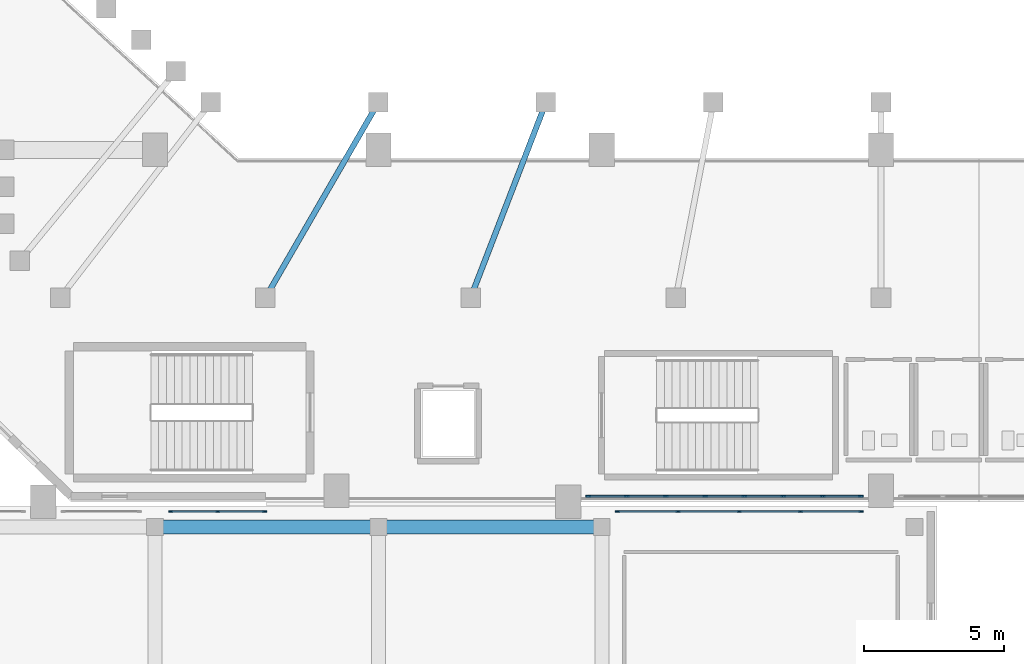
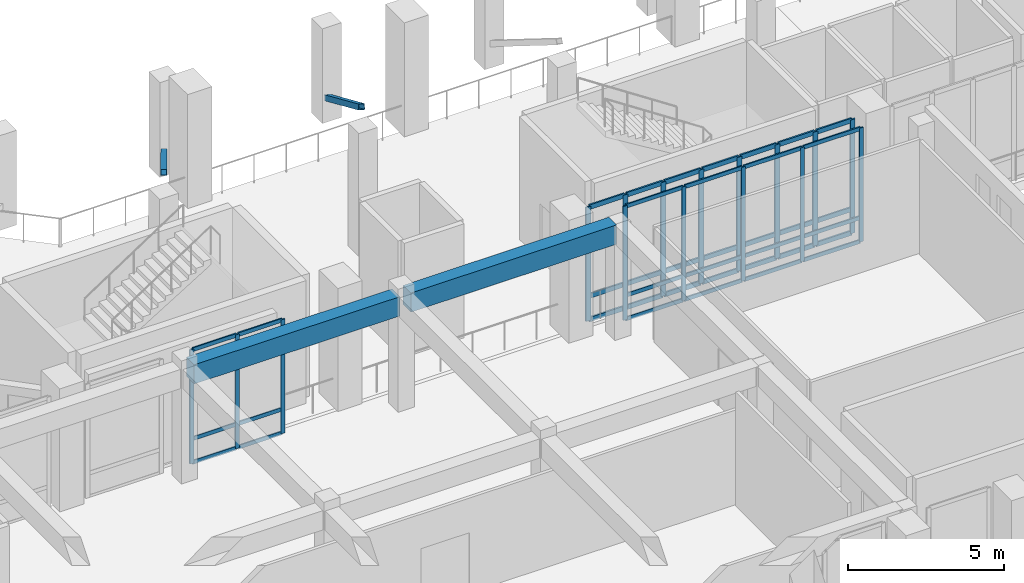
# One storey, part 20 of 126: 57 members, 2 beams, 3 elements without a shape of their own.
"""IFC4 building model written with IfcOpenShell, lengths in metres."""

from ifc_helpers import new_model, si_unit, derived_unit, direction, frame, origin, origin_2d, place, context, subcontext, project, spatial, rectangle, hollow_rectangle, extrude, material, layer, layer_set, material_profile, profile_set, type_object, element, aggregate, save


model = new_model("IFC4")

# Units and contexts
model_context = context("Model", 3, precision=1e-05, world=origin(), true_north=direction((0.0, 1.0)))
body_context = subcontext(model_context, "Body", "Model", "MODEL_VIEW")
ifc_project = project(units=[si_unit("LENGTHUNIT", "METRE"), si_unit("AREAUNIT", "SQUARE_METRE"), si_unit("VOLUMEUNIT", "CUBIC_METRE"), si_unit("PLANEANGLEUNIT", "RADIAN"), si_unit("MASSUNIT", "GRAM", prefix="KILO"), derived_unit("THERMALTRANSMITTANCEUNIT", [(si_unit("MASSUNIT", "GRAM", prefix="KILO"), 1), (si_unit("TIMEUNIT", "SECOND"), -3), (si_unit("THERMODYNAMICTEMPERATUREUNIT", "KELVIN"), -1)])], contexts=[model_context])

# Site, building, storey
site_placement = place(None, origin())
site = spatial("IfcSite", under=ifc_project, at=site_placement, CompositionType="ELEMENT")
building_placement = place(site_placement, origin())
building = spatial("IfcBuilding", under=site, at=building_placement, Name="Valcora Ridge Arena", CompositionType="ELEMENT")
storey_placement = place(building_placement, frame((0.0, 0.0, 11.39990234375)))
storey = spatial("IfcBuildingStorey", under=building, at=storey_placement, Name="L02", CompositionType="ELEMENT", Elevation=11.39990234375)

# Beams
ifc_material_1 = material(Name="Concrete C40/50", Category="concrete")
ifc_material_profile_1 = material_profile(ifc_material_1, rectangle(XDim=0.5, YDim=0.75, at=origin_2d()), Name="RC 500x750")
ifc_profile_set_1 = profile_set([ifc_material_profile_1], Name="Concrete C40/50")
beam_type = type_object("IfcBeamType", Name="TY-BEAM-B-RC500-X", PredefinedType="BEAM", material=ifc_profile_set_1)
for number, where, z_axis, x_axis, name in (
    (1, (32.199951171875, 19.10009765625, 4.0751953125), (1.0, 0.0, 0.0), (0.0, 1.0, 0.0), "B-RC500-X BEM-B-RC500-X-0063"),
    (2, (40.199951171875, 19.10009765625, 4.0751953125), (1.0, 0.0, 0.0), (0.0, 1.0, 0.0), "B-RC500-X BEM-B-RC500-X-0064"),
):
    element("IfcBeam", number, at=place(storey_placement, frame(where, z_axis=z_axis, x_axis=x_axis)), inside=storey, type_object=beam_type, Name=name, PredefinedType="BEAM", context=body_context, shape_type="SweptSolid", body=[
        extrude(rectangle(XDim=0.5, YDim=0.75, at=origin_2d()), origin(), (0.0, 0.0, 1.0), 7.60009765625),
    ])

# Curtain wall, members
ifc_material_2 = material(Name="Anodised dark bronze architectural aluminium 6063-T6", Category="aluminium")
ifc_layer_1 = layer(ifc_material_2, 0.14990234375, Name="Anodised dark bronze architectural aluminium 6063-T6")
ifc_layer_set_1 = layer_set([ifc_layer_1], Name="Anodised dark bronze architectural aluminium 6063-T6")
curtain_wall_type_1 = type_object("IfcCurtainWallType", Name="TY-CURTAINWALL-CW-V4-CLUB-034X44", PredefinedType="NOTDEFINED", material=ifc_layer_set_1)
curtain_wall_1_placement = place(storey_placement, origin())
curtain_wall_1 = element("IfcCurtainWall", 3, at=curtain_wall_1_placement, inside=storey, type_object=curtain_wall_type_1, Name="CW-V4-CLUB-034X44 CW-0253", PredefinedType="NOTDEFINED")
ifc_material_profile_2 = material_profile(ifc_material_2, rectangle(XDim=0.050048828125, YDim=0.14990234375, at=origin_2d()), Name="ALU MULLION 50x150")
ifc_profile_set_2 = profile_set([ifc_material_profile_2], Name="Anodised dark bronze architectural aluminium 6063-T6")
member_type_1 = type_object("IfcMemberType", Name="TY-MEM-CWM-50x150", PredefinedType="MULLION", material=ifc_profile_set_2)
member_1_placement = place(storey_placement, frame((32.56494140625, 19.64990234375, 0.0), z_axis=(0.0, 0.0, 1.0), x_axis=(0.0, 1.0, 0.0)))
member_1 = element("IfcMember", 4, at=member_1_placement, type_object=member_type_1, Name="CW-0253/CWM-50x150/M00", PredefinedType="MULLION", context=body_context, shape_type="SweptSolid", body=[
    extrude(rectangle(XDim=0.050048828125, YDim=0.14990234375, at=origin_2d()), origin(), (0.0, 0.0, 1.0), 4.4501953125),
])
member_2_placement = place(storey_placement, frame((34.2451171875, 19.64990234375, 0.0), z_axis=(0.0, 0.0, 1.0), x_axis=(0.0, 1.0, 0.0)))
member_2 = element("IfcMember", 5, at=member_2_placement, type_object=member_type_1, Name="CW-0253/CWM-50x150/M01", PredefinedType="MULLION", context=body_context, shape_type="SweptSolid", body=[
    extrude(rectangle(XDim=0.050048828125, YDim=0.14990234375, at=origin_2d()), origin(), (0.0, 0.0, 1.0), 4.4501953125),
])
member_3_placement = place(storey_placement, frame((35.925048828125, 19.64990234375, 0.0), z_axis=(0.0, 0.0, 1.0), x_axis=(0.0, 1.0, 0.0)))
member_3 = element("IfcMember", 6, at=member_3_placement, type_object=member_type_1, Name="CW-0253/CWM-50x150/M02", PredefinedType="MULLION", context=body_context, shape_type="SweptSolid", body=[
    extrude(rectangle(XDim=0.050048828125, YDim=0.14990234375, at=origin_2d()), origin(), (0.0, 0.0, 1.0), 4.4501953125),
])

ifc_layer_2 = layer(ifc_material_2, 0.14990234375, Name="Anodised dark bronze architectural aluminium 6063-T6")
ifc_layer_set_2 = layer_set([ifc_layer_2], Name="Anodised dark bronze architectural aluminium 6063-T6")
curtain_wall_type_2 = type_object("IfcCurtainWallType", Name="TY-CURTAINWALL-CW-V4-CLUB-088X44", PredefinedType="NOTDEFINED", material=ifc_layer_set_2)
curtain_wall_2_placement = place(storey_placement, origin())
curtain_wall_2 = element("IfcCurtainWall", 7, at=curtain_wall_2_placement, inside=storey, type_object=curtain_wall_type_2, Name="CW-V4-CLUB-088X44 CW-0254", PredefinedType="NOTDEFINED")
member_4_placement = place(storey_placement, frame((48.56494140625, 19.64990234375, 0.0), z_axis=(0.0, 0.0, 1.0), x_axis=(0.0, 1.0, 0.0)))
member_4 = element("IfcMember", 8, at=member_4_placement, type_object=member_type_1, Name="CW-0254/CWM-50x150/M00", PredefinedType="MULLION", context=body_context, shape_type="SweptSolid", body=[
    extrude(rectangle(XDim=0.050048828125, YDim=0.14990234375, at=origin_2d()), origin(), (0.0, 0.0, 1.0), 4.4501953125),
])
member_5_placement = place(storey_placement, frame((50.732421875, 19.64990234375, 0.0), z_axis=(0.0, 0.0, 1.0), x_axis=(0.0, 1.0, 0.0)))
member_5 = element("IfcMember", 9, at=member_5_placement, type_object=member_type_1, Name="CW-0254/CWM-50x150/M01", PredefinedType="MULLION", context=body_context, shape_type="SweptSolid", body=[
    extrude(rectangle(XDim=0.050048828125, YDim=0.14990234375, at=origin_2d()), origin(), (0.0, 0.0, 1.0), 4.4501953125),
])
member_6_placement = place(storey_placement, frame((52.925048828125, 19.64990234375, 0.0), z_axis=(0.0, 0.0, 1.0), x_axis=(0.0, 1.0, 0.0)))
member_6 = element("IfcMember", 10, at=member_6_placement, type_object=member_type_1, Name="CW-0254/CWM-50x150/M02", PredefinedType="MULLION", context=body_context, shape_type="SweptSolid", body=[
    extrude(rectangle(XDim=0.050048828125, YDim=0.14990234375, at=origin_2d()), origin(), (0.0, 0.0, 1.0), 4.4501953125),
])
member_7_placement = place(storey_placement, frame((55.117431640625, 19.64990234375, 0.0), z_axis=(0.0, 0.0, 1.0), x_axis=(0.0, 1.0, 0.0)))
member_7 = element("IfcMember", 11, at=member_7_placement, type_object=member_type_1, Name="CW-0254/CWM-50x150/M03", PredefinedType="MULLION", context=body_context, shape_type="SweptSolid", body=[
    extrude(rectangle(XDim=0.050048828125, YDim=0.14990234375, at=origin_2d()), origin(), (0.0, 0.0, 1.0), 4.4501953125),
])
member_8_placement = place(storey_placement, frame((57.284912109375, 19.64990234375, 0.0), z_axis=(0.0, 0.0, 1.0), x_axis=(0.0, 1.0, 0.0)))
member_8 = element("IfcMember", 12, at=member_8_placement, type_object=member_type_1, Name="CW-0254/CWM-50x150/M04", PredefinedType="MULLION", context=body_context, shape_type="SweptSolid", body=[
    extrude(rectangle(XDim=0.050048828125, YDim=0.14990234375, at=origin_2d()), origin(), (0.0, 0.0, 1.0), 4.4501953125),
])

ifc_layer_3 = layer(ifc_material_2, 0.179931640625, Name="Anodised dark bronze architectural aluminium 6063-T6")
ifc_layer_set_3 = layer_set([ifc_layer_3], Name="Anodised dark bronze architectural aluminium 6063-T6")
curtain_wall_type_3 = type_object("IfcCurtainWallType", Name="TY-CURTAINWALL-CW-V1-GOTH-098X44", PredefinedType="NOTDEFINED", material=ifc_layer_set_3)
curtain_wall_3_placement = place(storey_placement, origin())
curtain_wall_3 = element("IfcCurtainWall", 13, at=curtain_wall_3_placement, inside=storey, type_object=curtain_wall_type_3, Name="CW-V1-GOTH-098X44 CW-0120", PredefinedType="NOTDEFINED")
ifc_material_profile_3 = material_profile(ifc_material_2, rectangle(XDim=0.06005859375, YDim=0.179931640625, at=origin_2d()), Name="ALU MULLION 60x180")
ifc_profile_set_3 = profile_set([ifc_material_profile_3], Name="Anodised dark bronze architectural aluminium 6063-T6")
member_type_2 = type_object("IfcMemberType", Name="TY-MEM-CWM-60x180", PredefinedType="MULLION", material=ifc_profile_set_3)
member_9_placement = place(storey_placement, frame((47.52001953125, 20.199951171875, 0.0), z_axis=(0.0, 0.0, 1.0), x_axis=(0.0, 1.0, 0.0)))
member_9 = element("IfcMember", 14, at=member_9_placement, type_object=member_type_2, Name="CW-0120/CWM-60x180/M00", PredefinedType="MULLION", context=body_context, shape_type="SweptSolid", body=[
    extrude(rectangle(XDim=0.06005859375, YDim=0.179931640625, at=origin_2d()), origin(), (0.0, 0.0, 1.0), 4.4501953125),
])
member_10_placement = place(storey_placement, frame((48.892822265625, 20.199951171875, 0.0), z_axis=(0.0, 0.0, 1.0), x_axis=(0.0, 1.0, 0.0)))
member_10 = element("IfcMember", 15, at=member_10_placement, type_object=member_type_2, Name="CW-0120/CWM-60x180/M01", PredefinedType="MULLION", context=body_context, shape_type="SweptSolid", body=[
    extrude(rectangle(XDim=0.06005859375, YDim=0.179931640625, at=origin_2d()), origin(), (0.0, 0.0, 1.0), 4.4501953125),
])
member_11_placement = place(storey_placement, frame((50.295654296875, 20.199951171875, 0.0), z_axis=(0.0, 0.0, 1.0), x_axis=(0.0, 1.0, 0.0)))
member_11 = element("IfcMember", 16, at=member_11_placement, type_object=member_type_2, Name="CW-0120/CWM-60x180/M02", PredefinedType="MULLION", context=body_context, shape_type="SweptSolid", body=[
    extrude(rectangle(XDim=0.06005859375, YDim=0.179931640625, at=origin_2d()), origin(), (0.0, 0.0, 1.0), 4.4501953125),
])
member_12_placement = place(storey_placement, frame((51.698486328125, 20.199951171875, 0.0), z_axis=(0.0, 0.0, 1.0), x_axis=(0.0, 1.0, 0.0)))
member_12 = element("IfcMember", 17, at=member_12_placement, type_object=member_type_2, Name="CW-0120/CWM-60x180/M03", PredefinedType="MULLION", context=body_context, shape_type="SweptSolid", body=[
    extrude(rectangle(XDim=0.06005859375, YDim=0.179931640625, at=origin_2d()), origin(), (0.0, 0.0, 1.0), 4.4501953125),
])
member_13_placement = place(storey_placement, frame((53.101318359375, 20.199951171875, 0.0), z_axis=(0.0, 0.0, 1.0), x_axis=(0.0, 1.0, 0.0)))
member_13 = element("IfcMember", 18, at=member_13_placement, type_object=member_type_2, Name="CW-0120/CWM-60x180/M04", PredefinedType="MULLION", context=body_context, shape_type="SweptSolid", body=[
    extrude(rectangle(XDim=0.06005859375, YDim=0.179931640625, at=origin_2d()), origin(), (0.0, 0.0, 1.0), 4.4501953125),
])
member_14_placement = place(storey_placement, frame((54.50439453125, 20.199951171875, 0.0), z_axis=(0.0, 0.0, 1.0), x_axis=(0.0, 1.0, 0.0)))
member_14 = element("IfcMember", 19, at=member_14_placement, type_object=member_type_2, Name="CW-0120/CWM-60x180/M05", PredefinedType="MULLION", context=body_context, shape_type="SweptSolid", body=[
    extrude(rectangle(XDim=0.06005859375, YDim=0.179931640625, at=origin_2d()), origin(), (0.0, 0.0, 1.0), 4.4501953125),
])
member_15_placement = place(storey_placement, frame((55.906982421875, 20.199951171875, 0.0), z_axis=(0.0, 0.0, 1.0), x_axis=(0.0, 1.0, 0.0)))
member_15 = element("IfcMember", 20, at=member_15_placement, type_object=member_type_2, Name="CW-0120/CWM-60x180/M06", PredefinedType="MULLION", context=body_context, shape_type="SweptSolid", body=[
    extrude(rectangle(XDim=0.06005859375, YDim=0.179931640625, at=origin_2d()), origin(), (0.0, 0.0, 1.0), 4.4501953125),
])
member_16_placement = place(storey_placement, frame((57.280029296875, 20.199951171875, 0.0), z_axis=(0.0, 0.0, 1.0), x_axis=(0.0, 1.0, 0.0)))
member_16 = element("IfcMember", 21, at=member_16_placement, type_object=member_type_2, Name="CW-0120/CWM-60x180/M07", PredefinedType="MULLION", context=body_context, shape_type="SweptSolid", body=[
    extrude(rectangle(XDim=0.06005859375, YDim=0.179931640625, at=origin_2d()), origin(), (0.0, 0.0, 1.0), 4.4501953125),
])

# Member
ifc_material_profile_4 = material_profile(ifc_material_2, rectangle(XDim=0.050048828125, YDim=0.14990234375, at=origin_2d()), Name="ALU TRANSOM 50x150")
ifc_profile_set_4 = profile_set([ifc_material_profile_4], Name="Anodised dark bronze architectural aluminium 6063-T6")
member_type_3 = type_object("IfcMemberType", Name="TY-MEM-CWT-50x150", PredefinedType="USERDEFINED", material=ifc_profile_set_4)
member_17_placement = place(storey_placement, frame((32.590087890625, 19.64990234375, 0.025146484375), z_axis=(1.0, 0.0, 0.0), x_axis=(0.0, 1.0, 0.0)))
member_17 = element("IfcMember", 22, at=member_17_placement, type_object=member_type_3, Name="CW-0253/CWT-50x150/T00-00", ObjectType="TRANSOM", PredefinedType="USERDEFINED", context=body_context, shape_type="SweptSolid", body=[
    extrude(rectangle(XDim=0.050048828125, YDim=0.14990234375, at=origin_2d()), origin(), (0.0, 0.0, 1.0), 1.6298828125),
])

member_18_placement = place(storey_placement, frame((32.590087890625, 19.64990234375, 0.9501953125), z_axis=(1.0, 0.0, 0.0), x_axis=(0.0, 1.0, 0.0)))
member_18 = element("IfcMember", 23, at=member_18_placement, type_object=member_type_3, Name="CW-0253/CWT-50x150/T00-01", ObjectType="TRANSOM", PredefinedType="USERDEFINED", context=body_context, shape_type="SweptSolid", body=[
    extrude(rectangle(XDim=0.050048828125, YDim=0.14990234375, at=origin_2d()), origin(), (0.0, 0.0, 1.0), 1.6298828125),
])

member_19_placement = place(storey_placement, frame((32.590087890625, 19.64990234375, 4.425048828125), z_axis=(1.0, 0.0, 0.0), x_axis=(0.0, 1.0, 0.0)))
member_19 = element("IfcMember", 24, at=member_19_placement, type_object=member_type_3, Name="CW-0253/CWT-50x150/T00-02", ObjectType="TRANSOM", PredefinedType="USERDEFINED", context=body_context, shape_type="SweptSolid", body=[
    extrude(rectangle(XDim=0.050048828125, YDim=0.14990234375, at=origin_2d()), origin(), (0.0, 0.0, 1.0), 1.6298828125),
])

member_20_placement = place(storey_placement, frame((34.27001953125, 19.64990234375, 0.025146484375), z_axis=(1.0, 0.0, 0.0), x_axis=(0.0, 1.0, 0.0)))
member_20 = element("IfcMember", 25, at=member_20_placement, type_object=member_type_3, Name="CW-0253/CWT-50x150/T01-00", ObjectType="TRANSOM", PredefinedType="USERDEFINED", context=body_context, shape_type="SweptSolid", body=[
    extrude(rectangle(XDim=0.050048828125, YDim=0.14990234375, at=origin_2d()), origin(), (0.0, 0.0, 1.0), 1.6298828125),
])

member_21_placement = place(storey_placement, frame((34.27001953125, 19.64990234375, 0.9501953125), z_axis=(1.0, 0.0, 0.0), x_axis=(0.0, 1.0, 0.0)))
member_21 = element("IfcMember", 26, at=member_21_placement, type_object=member_type_3, Name="CW-0253/CWT-50x150/T01-01", ObjectType="TRANSOM", PredefinedType="USERDEFINED", context=body_context, shape_type="SweptSolid", body=[
    extrude(rectangle(XDim=0.050048828125, YDim=0.14990234375, at=origin_2d()), origin(), (0.0, 0.0, 1.0), 1.6298828125),
])

member_22_placement = place(storey_placement, frame((34.27001953125, 19.64990234375, 4.425048828125), z_axis=(1.0, 0.0, 0.0), x_axis=(0.0, 1.0, 0.0)))
member_22 = element("IfcMember", 27, at=member_22_placement, type_object=member_type_3, Name="CW-0253/CWT-50x150/T01-02", ObjectType="TRANSOM", PredefinedType="USERDEFINED", context=body_context, shape_type="SweptSolid", body=[
    extrude(rectangle(XDim=0.050048828125, YDim=0.14990234375, at=origin_2d()), origin(), (0.0, 0.0, 1.0), 1.6298828125),
])

aggregate(curtain_wall_1, [member_1, member_2, member_3, member_17, member_18, member_19, member_20, member_21, member_22])

member_23_placement = place(storey_placement, frame((48.590087890625, 19.64990234375, 0.025146484375), z_axis=(1.0, 0.0, 0.0), x_axis=(0.0, 1.0, 0.0)))
member_23 = element("IfcMember", 28, at=member_23_placement, type_object=member_type_3, Name="CW-0254/CWT-50x150/T00-00", ObjectType="TRANSOM", PredefinedType="USERDEFINED", context=body_context, shape_type="SweptSolid", body=[
    extrude(rectangle(XDim=0.050048828125, YDim=0.14990234375, at=origin_2d()), origin(), (0.0, 0.0, 1.0), 2.116943359375),
])

member_24_placement = place(storey_placement, frame((48.590087890625, 19.64990234375, 0.9501953125), z_axis=(1.0, 0.0, 0.0), x_axis=(0.0, 1.0, 0.0)))
member_24 = element("IfcMember", 29, at=member_24_placement, type_object=member_type_3, Name="CW-0254/CWT-50x150/T00-01", ObjectType="TRANSOM", PredefinedType="USERDEFINED", context=body_context, shape_type="SweptSolid", body=[
    extrude(rectangle(XDim=0.050048828125, YDim=0.14990234375, at=origin_2d()), origin(), (0.0, 0.0, 1.0), 2.116943359375),
])

member_25_placement = place(storey_placement, frame((48.590087890625, 19.64990234375, 4.425048828125), z_axis=(1.0, 0.0, 0.0), x_axis=(0.0, 1.0, 0.0)))
member_25 = element("IfcMember", 30, at=member_25_placement, type_object=member_type_3, Name="CW-0254/CWT-50x150/T00-02", ObjectType="TRANSOM", PredefinedType="USERDEFINED", context=body_context, shape_type="SweptSolid", body=[
    extrude(rectangle(XDim=0.050048828125, YDim=0.14990234375, at=origin_2d()), origin(), (0.0, 0.0, 1.0), 2.116943359375),
])

member_26_placement = place(storey_placement, frame((50.757080078125, 19.64990234375, 0.025146484375), z_axis=(1.0, 0.0, 0.0), x_axis=(0.0, 1.0, 0.0)))
member_26 = element("IfcMember", 31, at=member_26_placement, type_object=member_type_3, Name="CW-0254/CWT-50x150/T01-00", ObjectType="TRANSOM", PredefinedType="USERDEFINED", context=body_context, shape_type="SweptSolid", body=[
    extrude(rectangle(XDim=0.050048828125, YDim=0.14990234375, at=origin_2d()), origin(), (0.0, 0.0, 1.0), 2.142822265625),
])

member_27_placement = place(storey_placement, frame((50.757080078125, 19.64990234375, 0.9501953125), z_axis=(1.0, 0.0, 0.0), x_axis=(0.0, 1.0, 0.0)))
member_27 = element("IfcMember", 32, at=member_27_placement, type_object=member_type_3, Name="CW-0254/CWT-50x150/T01-01", ObjectType="TRANSOM", PredefinedType="USERDEFINED", context=body_context, shape_type="SweptSolid", body=[
    extrude(rectangle(XDim=0.050048828125, YDim=0.14990234375, at=origin_2d()), origin(), (0.0, 0.0, 1.0), 2.142822265625),
])

member_28_placement = place(storey_placement, frame((50.757080078125, 19.64990234375, 4.425048828125), z_axis=(1.0, 0.0, 0.0), x_axis=(0.0, 1.0, 0.0)))
member_28 = element("IfcMember", 33, at=member_28_placement, type_object=member_type_3, Name="CW-0254/CWT-50x150/T01-02", ObjectType="TRANSOM", PredefinedType="USERDEFINED", context=body_context, shape_type="SweptSolid", body=[
    extrude(rectangle(XDim=0.050048828125, YDim=0.14990234375, at=origin_2d()), origin(), (0.0, 0.0, 1.0), 2.142822265625),
])

member_29_placement = place(storey_placement, frame((52.949951171875, 19.64990234375, 0.025146484375), z_axis=(1.0, 0.0, 0.0), x_axis=(0.0, 1.0, 0.0)))
member_29 = element("IfcMember", 34, at=member_29_placement, type_object=member_type_3, Name="CW-0254/CWT-50x150/T02-00", ObjectType="TRANSOM", PredefinedType="USERDEFINED", context=body_context, shape_type="SweptSolid", body=[
    extrude(rectangle(XDim=0.050048828125, YDim=0.14990234375, at=origin_2d()), origin(), (0.0, 0.0, 1.0), 2.14208984375),
])

member_30_placement = place(storey_placement, frame((52.949951171875, 19.64990234375, 0.9501953125), z_axis=(1.0, 0.0, 0.0), x_axis=(0.0, 1.0, 0.0)))
member_30 = element("IfcMember", 35, at=member_30_placement, type_object=member_type_3, Name="CW-0254/CWT-50x150/T02-01", ObjectType="TRANSOM", PredefinedType="USERDEFINED", context=body_context, shape_type="SweptSolid", body=[
    extrude(rectangle(XDim=0.050048828125, YDim=0.14990234375, at=origin_2d()), origin(), (0.0, 0.0, 1.0), 2.14208984375),
])

member_31_placement = place(storey_placement, frame((52.949951171875, 19.64990234375, 4.425048828125), z_axis=(1.0, 0.0, 0.0), x_axis=(0.0, 1.0, 0.0)))
member_31 = element("IfcMember", 36, at=member_31_placement, type_object=member_type_3, Name="CW-0254/CWT-50x150/T02-02", ObjectType="TRANSOM", PredefinedType="USERDEFINED", context=body_context, shape_type="SweptSolid", body=[
    extrude(rectangle(XDim=0.050048828125, YDim=0.14990234375, at=origin_2d()), origin(), (0.0, 0.0, 1.0), 2.14208984375),
])

member_32_placement = place(storey_placement, frame((55.14306640625, 19.64990234375, 0.025146484375), z_axis=(1.0, 0.0, 0.0), x_axis=(0.0, 1.0, 0.0)))
member_32 = element("IfcMember", 37, at=member_32_placement, type_object=member_type_3, Name="CW-0254/CWT-50x150/T03-00", ObjectType="TRANSOM", PredefinedType="USERDEFINED", context=body_context, shape_type="SweptSolid", body=[
    extrude(rectangle(XDim=0.050048828125, YDim=0.14990234375, at=origin_2d()), origin(), (0.0, 0.0, 1.0), 2.116943359375),
])

member_33_placement = place(storey_placement, frame((55.14306640625, 19.64990234375, 0.9501953125), z_axis=(1.0, 0.0, 0.0), x_axis=(0.0, 1.0, 0.0)))
member_33 = element("IfcMember", 38, at=member_33_placement, type_object=member_type_3, Name="CW-0254/CWT-50x150/T03-01", ObjectType="TRANSOM", PredefinedType="USERDEFINED", context=body_context, shape_type="SweptSolid", body=[
    extrude(rectangle(XDim=0.050048828125, YDim=0.14990234375, at=origin_2d()), origin(), (0.0, 0.0, 1.0), 2.116943359375),
])

member_34_placement = place(storey_placement, frame((55.14306640625, 19.64990234375, 4.425048828125), z_axis=(1.0, 0.0, 0.0), x_axis=(0.0, 1.0, 0.0)))
member_34 = element("IfcMember", 39, at=member_34_placement, type_object=member_type_3, Name="CW-0254/CWT-50x150/T03-02", ObjectType="TRANSOM", PredefinedType="USERDEFINED", context=body_context, shape_type="SweptSolid", body=[
    extrude(rectangle(XDim=0.050048828125, YDim=0.14990234375, at=origin_2d()), origin(), (0.0, 0.0, 1.0), 2.116943359375),
])

aggregate(curtain_wall_2, [member_4, member_5, member_6, member_7, member_8, member_23, member_24, member_25, member_26, member_27, member_28, member_29, member_30, member_31, member_32, member_33, member_34])

ifc_material_profile_5 = material_profile(ifc_material_2, rectangle(XDim=0.06005859375, YDim=0.179931640625, at=origin_2d()), Name="ALU TRANSOM 60x180")
ifc_profile_set_5 = profile_set([ifc_material_profile_5], Name="Anodised dark bronze architectural aluminium 6063-T6")
member_type_4 = type_object("IfcMemberType", Name="TY-MEM-CWT-60x180", PredefinedType="USERDEFINED", material=ifc_profile_set_5)
member_35_placement = place(storey_placement, frame((47.550048828125, 20.199951171875, 0.030029296875), z_axis=(1.0, 0.0, 0.0), x_axis=(0.0, 1.0, 0.0)))
member_35 = element("IfcMember", 40, at=member_35_placement, type_object=member_type_4, Name="CW-0120/CWT-60x180/T00-00", ObjectType="TRANSOM", PredefinedType="USERDEFINED", context=body_context, shape_type="SweptSolid", body=[
    extrude(rectangle(XDim=0.06005859375, YDim=0.179931640625, at=origin_2d()), origin(), (0.0, 0.0, 1.0), 1.31298828125),
])

member_36_placement = place(storey_placement, frame((47.550048828125, 20.199951171875, 0.9501953125), z_axis=(1.0, 0.0, 0.0), x_axis=(0.0, 1.0, 0.0)))
member_36 = element("IfcMember", 41, at=member_36_placement, type_object=member_type_4, Name="CW-0120/CWT-60x180/T00-01", ObjectType="TRANSOM", PredefinedType="USERDEFINED", context=body_context, shape_type="SweptSolid", body=[
    extrude(rectangle(XDim=0.06005859375, YDim=0.179931640625, at=origin_2d()), origin(), (0.0, 0.0, 1.0), 1.31298828125),
])

member_37_placement = place(storey_placement, frame((47.550048828125, 20.199951171875, 4.420166015625), z_axis=(1.0, 0.0, 0.0), x_axis=(0.0, 1.0, 0.0)))
member_37 = element("IfcMember", 42, at=member_37_placement, type_object=member_type_4, Name="CW-0120/CWT-60x180/T00-02", ObjectType="TRANSOM", PredefinedType="USERDEFINED", context=body_context, shape_type="SweptSolid", body=[
    extrude(rectangle(XDim=0.06005859375, YDim=0.179931640625, at=origin_2d()), origin(), (0.0, 0.0, 1.0), 1.31298828125),
])

member_38_placement = place(storey_placement, frame((48.923095703125, 20.199951171875, 0.030029296875), z_axis=(1.0, 0.0, 0.0), x_axis=(0.0, 1.0, 0.0)))
member_38 = element("IfcMember", 43, at=member_38_placement, type_object=member_type_4, Name="CW-0120/CWT-60x180/T01-00", ObjectType="TRANSOM", PredefinedType="USERDEFINED", context=body_context, shape_type="SweptSolid", body=[
    extrude(rectangle(XDim=0.06005859375, YDim=0.179931640625, at=origin_2d()), origin(), (0.0, 0.0, 1.0), 1.343017578125),
])

member_39_placement = place(storey_placement, frame((48.923095703125, 20.199951171875, 0.9501953125), z_axis=(1.0, 0.0, 0.0), x_axis=(0.0, 1.0, 0.0)))
member_39 = element("IfcMember", 44, at=member_39_placement, type_object=member_type_4, Name="CW-0120/CWT-60x180/T01-01", ObjectType="TRANSOM", PredefinedType="USERDEFINED", context=body_context, shape_type="SweptSolid", body=[
    extrude(rectangle(XDim=0.06005859375, YDim=0.179931640625, at=origin_2d()), origin(), (0.0, 0.0, 1.0), 1.343017578125),
])

member_40_placement = place(storey_placement, frame((48.923095703125, 20.199951171875, 4.420166015625), z_axis=(1.0, 0.0, 0.0), x_axis=(0.0, 1.0, 0.0)))
member_40 = element("IfcMember", 45, at=member_40_placement, type_object=member_type_4, Name="CW-0120/CWT-60x180/T01-02", ObjectType="TRANSOM", PredefinedType="USERDEFINED", context=body_context, shape_type="SweptSolid", body=[
    extrude(rectangle(XDim=0.06005859375, YDim=0.179931640625, at=origin_2d()), origin(), (0.0, 0.0, 1.0), 1.343017578125),
])

member_41_placement = place(storey_placement, frame((50.325927734375, 20.199951171875, 0.030029296875), z_axis=(1.0, 0.0, 0.0), x_axis=(0.0, 1.0, 0.0)))
member_41 = element("IfcMember", 46, at=member_41_placement, type_object=member_type_4, Name="CW-0120/CWT-60x180/T02-00", ObjectType="TRANSOM", PredefinedType="USERDEFINED", context=body_context, shape_type="SweptSolid", body=[
    extrude(rectangle(XDim=0.06005859375, YDim=0.179931640625, at=origin_2d()), origin(), (0.0, 0.0, 1.0), 1.343017578125),
])

member_42_placement = place(storey_placement, frame((50.325927734375, 20.199951171875, 0.9501953125), z_axis=(1.0, 0.0, 0.0), x_axis=(0.0, 1.0, 0.0)))
member_42 = element("IfcMember", 47, at=member_42_placement, type_object=member_type_4, Name="CW-0120/CWT-60x180/T02-01", ObjectType="TRANSOM", PredefinedType="USERDEFINED", context=body_context, shape_type="SweptSolid", body=[
    extrude(rectangle(XDim=0.06005859375, YDim=0.179931640625, at=origin_2d()), origin(), (0.0, 0.0, 1.0), 1.343017578125),
])

member_43_placement = place(storey_placement, frame((50.325927734375, 20.199951171875, 4.420166015625), z_axis=(1.0, 0.0, 0.0), x_axis=(0.0, 1.0, 0.0)))
member_43 = element("IfcMember", 48, at=member_43_placement, type_object=member_type_4, Name="CW-0120/CWT-60x180/T02-02", ObjectType="TRANSOM", PredefinedType="USERDEFINED", context=body_context, shape_type="SweptSolid", body=[
    extrude(rectangle(XDim=0.06005859375, YDim=0.179931640625, at=origin_2d()), origin(), (0.0, 0.0, 1.0), 1.343017578125),
])

member_44_placement = place(storey_placement, frame((51.72900390625, 20.199951171875, 0.030029296875), z_axis=(1.0, 0.0, 0.0), x_axis=(0.0, 1.0, 0.0)))
member_44 = element("IfcMember", 49, at=member_44_placement, type_object=member_type_4, Name="CW-0120/CWT-60x180/T03-00", ObjectType="TRANSOM", PredefinedType="USERDEFINED", context=body_context, shape_type="SweptSolid", body=[
    extrude(rectangle(XDim=0.06005859375, YDim=0.179931640625, at=origin_2d()), origin(), (0.0, 0.0, 1.0), 1.342041015625),
])

member_45_placement = place(storey_placement, frame((51.72900390625, 20.199951171875, 0.9501953125), z_axis=(1.0, 0.0, 0.0), x_axis=(0.0, 1.0, 0.0)))
member_45 = element("IfcMember", 50, at=member_45_placement, type_object=member_type_4, Name="CW-0120/CWT-60x180/T03-01", ObjectType="TRANSOM", PredefinedType="USERDEFINED", context=body_context, shape_type="SweptSolid", body=[
    extrude(rectangle(XDim=0.06005859375, YDim=0.179931640625, at=origin_2d()), origin(), (0.0, 0.0, 1.0), 1.342041015625),
])

member_46_placement = place(storey_placement, frame((51.72900390625, 20.199951171875, 4.420166015625), z_axis=(1.0, 0.0, 0.0), x_axis=(0.0, 1.0, 0.0)))
member_46 = element("IfcMember", 51, at=member_46_placement, type_object=member_type_4, Name="CW-0120/CWT-60x180/T03-02", ObjectType="TRANSOM", PredefinedType="USERDEFINED", context=body_context, shape_type="SweptSolid", body=[
    extrude(rectangle(XDim=0.06005859375, YDim=0.179931640625, at=origin_2d()), origin(), (0.0, 0.0, 1.0), 1.342041015625),
])

member_47_placement = place(storey_placement, frame((53.131103515625, 20.199951171875, 0.030029296875), z_axis=(1.0, 0.0, 0.0), x_axis=(0.0, 1.0, 0.0)))
member_47 = element("IfcMember", 52, at=member_47_placement, type_object=member_type_4, Name="CW-0120/CWT-60x180/T04-00", ObjectType="TRANSOM", PredefinedType="USERDEFINED", context=body_context, shape_type="SweptSolid", body=[
    extrude(rectangle(XDim=0.06005859375, YDim=0.179931640625, at=origin_2d()), origin(), (0.0, 0.0, 1.0), 1.343017578125),
])

member_48_placement = place(storey_placement, frame((53.131103515625, 20.199951171875, 0.9501953125), z_axis=(1.0, 0.0, 0.0), x_axis=(0.0, 1.0, 0.0)))
member_48 = element("IfcMember", 53, at=member_48_placement, type_object=member_type_4, Name="CW-0120/CWT-60x180/T04-01", ObjectType="TRANSOM", PredefinedType="USERDEFINED", context=body_context, shape_type="SweptSolid", body=[
    extrude(rectangle(XDim=0.06005859375, YDim=0.179931640625, at=origin_2d()), origin(), (0.0, 0.0, 1.0), 1.343017578125),
])

member_49_placement = place(storey_placement, frame((53.131103515625, 20.199951171875, 4.420166015625), z_axis=(1.0, 0.0, 0.0), x_axis=(0.0, 1.0, 0.0)))
member_49 = element("IfcMember", 54, at=member_49_placement, type_object=member_type_4, Name="CW-0120/CWT-60x180/T04-02", ObjectType="TRANSOM", PredefinedType="USERDEFINED", context=body_context, shape_type="SweptSolid", body=[
    extrude(rectangle(XDim=0.06005859375, YDim=0.179931640625, at=origin_2d()), origin(), (0.0, 0.0, 1.0), 1.343017578125),
])

member_50_placement = place(storey_placement, frame((54.533935546875, 20.199951171875, 0.030029296875), z_axis=(1.0, 0.0, 0.0), x_axis=(0.0, 1.0, 0.0)))
member_50 = element("IfcMember", 55, at=member_50_placement, type_object=member_type_4, Name="CW-0120/CWT-60x180/T05-00", ObjectType="TRANSOM", PredefinedType="USERDEFINED", context=body_context, shape_type="SweptSolid", body=[
    extrude(rectangle(XDim=0.06005859375, YDim=0.179931640625, at=origin_2d()), origin(), (0.0, 0.0, 1.0), 1.343017578125),
])

member_51_placement = place(storey_placement, frame((54.533935546875, 20.199951171875, 0.9501953125), z_axis=(1.0, 0.0, 0.0), x_axis=(0.0, 1.0, 0.0)))
member_51 = element("IfcMember", 56, at=member_51_placement, type_object=member_type_4, Name="CW-0120/CWT-60x180/T05-01", ObjectType="TRANSOM", PredefinedType="USERDEFINED", context=body_context, shape_type="SweptSolid", body=[
    extrude(rectangle(XDim=0.06005859375, YDim=0.179931640625, at=origin_2d()), origin(), (0.0, 0.0, 1.0), 1.343017578125),
])

member_52_placement = place(storey_placement, frame((54.533935546875, 20.199951171875, 4.420166015625), z_axis=(1.0, 0.0, 0.0), x_axis=(0.0, 1.0, 0.0)))
member_52 = element("IfcMember", 57, at=member_52_placement, type_object=member_type_4, Name="CW-0120/CWT-60x180/T05-02", ObjectType="TRANSOM", PredefinedType="USERDEFINED", context=body_context, shape_type="SweptSolid", body=[
    extrude(rectangle(XDim=0.06005859375, YDim=0.179931640625, at=origin_2d()), origin(), (0.0, 0.0, 1.0), 1.343017578125),
])

member_53_placement = place(storey_placement, frame((55.93701171875, 20.199951171875, 0.030029296875), z_axis=(1.0, 0.0, 0.0), x_axis=(0.0, 1.0, 0.0)))
member_53 = element("IfcMember", 58, at=member_53_placement, type_object=member_type_4, Name="CW-0120/CWT-60x180/T06-00", ObjectType="TRANSOM", PredefinedType="USERDEFINED", context=body_context, shape_type="SweptSolid", body=[
    extrude(rectangle(XDim=0.06005859375, YDim=0.179931640625, at=origin_2d()), origin(), (0.0, 0.0, 1.0), 1.31298828125),
])

member_54_placement = place(storey_placement, frame((55.93701171875, 20.199951171875, 0.9501953125), z_axis=(1.0, 0.0, 0.0), x_axis=(0.0, 1.0, 0.0)))
member_54 = element("IfcMember", 59, at=member_54_placement, type_object=member_type_4, Name="CW-0120/CWT-60x180/T06-01", ObjectType="TRANSOM", PredefinedType="USERDEFINED", context=body_context, shape_type="SweptSolid", body=[
    extrude(rectangle(XDim=0.06005859375, YDim=0.179931640625, at=origin_2d()), origin(), (0.0, 0.0, 1.0), 1.31298828125),
])

member_55_placement = place(storey_placement, frame((55.93701171875, 20.199951171875, 4.420166015625), z_axis=(1.0, 0.0, 0.0), x_axis=(0.0, 1.0, 0.0)))
member_55 = element("IfcMember", 60, at=member_55_placement, type_object=member_type_4, Name="CW-0120/CWT-60x180/T06-02", ObjectType="TRANSOM", PredefinedType="USERDEFINED", context=body_context, shape_type="SweptSolid", body=[
    extrude(rectangle(XDim=0.06005859375, YDim=0.179931640625, at=origin_2d()), origin(), (0.0, 0.0, 1.0), 1.31298828125),
])

aggregate(curtain_wall_3, [member_9, member_10, member_11, member_12, member_13, member_14, member_15, member_16, member_35, member_36, member_37, member_38, member_39, member_40, member_41, member_42, member_43, member_44, member_45, member_46, member_47, member_48, member_49, member_50, member_51, member_52, member_53, member_54, member_55])

# Members
ifc_material_3 = material(Name="Steel ASTM A500 Grade C", Category="steel")
ifc_material_profile_6 = material_profile(ifc_material_3, hollow_rectangle(XDim=0.199951171875, YDim=0.199951171875, WallThickness=0.012451171875, at=origin_2d()), Name="HSS200X200X12")
ifc_profile_set_6 = profile_set([ifc_material_profile_6], Name="Steel ASTM A500 Grade C")
member_type_5 = type_object("IfcMemberType", Name="TY-MEMBER-RKRUD-200", PredefinedType="BRACE", material=ifc_profile_set_6)
member_56_placement = place(storey_placement, frame((39.87939453125, 34.091552734375, 0.843017578125), z_axis=(-0.430647784433, -0.744338023667, 0.510395329413), x_axis=(0.865569833072, -0.50078824275, 0.0)))
element("IfcMember", 61, at=member_56_placement, inside=storey, type_object=member_type_5, Name="RKRUD-200 Raker Diagonal Brace", PredefinedType="BRACE", context=body_context, shape_type="SweptSolid", body=[
    extrude(hollow_rectangle(XDim=0.199951171875, YDim=0.199951171875, WallThickness=0.012451171875, at=origin_2d()), origin(), (0.0, 0.0, 1.0), 8.844482421875),
])
member_57_placement = place(storey_placement, frame((45.9150390625, 34.079833984375, 0.85107421875), z_axis=(-0.303123322723, -0.785932698856, 0.538911907541), x_axis=(0.933010485699, -0.359849181708, 0.0)))
element("IfcMember", 62, at=member_57_placement, inside=storey, type_object=member_type_5, Name="RKRUD-200 Raker Diagonal Brace", PredefinedType="BRACE", context=body_context, shape_type="SweptSolid", body=[
    extrude(hollow_rectangle(XDim=0.199951171875, YDim=0.199951171875, WallThickness=0.012451171875, at=origin_2d()), origin(), (0.0, 0.0, 1.0), 8.346435546875),
])

save(model, "model.ifc")
